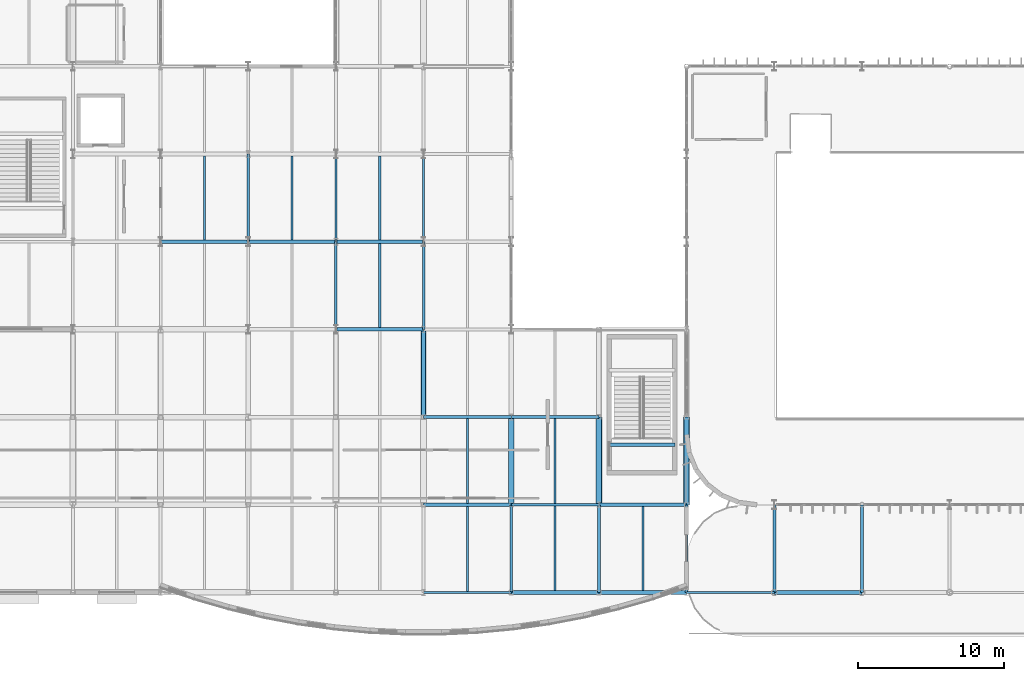
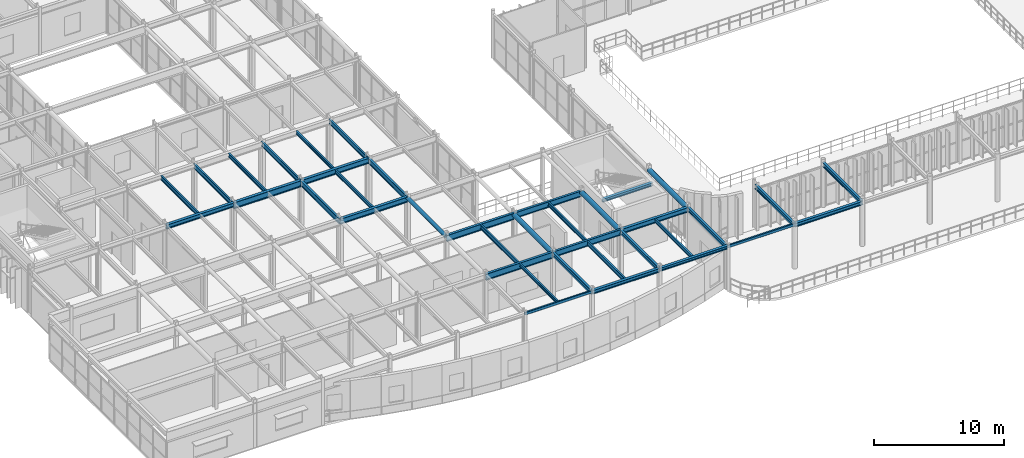
# One storey, part 25 of 96: 38 beams.
"""IFC4 building model written with IfcOpenShell, lengths in metres."""

from ifc_helpers import new_model, si_unit, direction, frame, origin, origin_2d, place, context, subcontext, project, spatial, hollow_rectangle, hollow_circle, i_section, extrude, material, material_profile, profile_set, type_object, element, save


model = new_model("IFC4")

# Units and contexts
model_context = context("Model", 3, precision=1e-05, world=origin(), true_north=direction((0.0, 1.0)))
body_context = subcontext(model_context, "Body", "Model", "MODEL_VIEW")
ifc_project = project(units=[si_unit("LENGTHUNIT", "METRE"), si_unit("AREAUNIT", "SQUARE_METRE"), si_unit("VOLUMEUNIT", "CUBIC_METRE"), si_unit("PLANEANGLEUNIT", "RADIAN"), si_unit("MASSUNIT", "GRAM", prefix="KILO")], contexts=[model_context])

# Site, building, storey
site_placement = place(None, origin())
site = spatial("IfcSite", under=ifc_project, at=site_placement, CompositionType="ELEMENT")
building_placement = place(site_placement, origin())
building = spatial("IfcBuilding", under=site, at=building_placement, Name="Varnakota Square Police Headquarters", CompositionType="ELEMENT")
storey_placement = place(building_placement, frame((0.0, 0.0, 4.800048828125)))
storey = spatial("IfcBuildingStorey", under=building, at=storey_placement, Name="L01", CompositionType="ELEMENT", Elevation=4.800048828125)

# Beams
ifc_material = material(Name="Steel IS 2062 Grade 350", Category="steel")
ifc_material_profile_1 = material_profile(ifc_material, hollow_circle(Radius=0.161865234375, WallThickness=0.0126953125, at=origin_2d()), Name="CHS 323.9x12.7")
ifc_profile_set_1 = profile_set([ifc_material_profile_1], Name="Steel IS 2062 Grade 350")
beam_type_1 = type_object("IfcBeamType", Name="BM-ARC-CHS324", PredefinedType="BEAM", material=ifc_profile_set_1)
beam_1_placement = place(storey_placement, frame((36.0, 15.0, 4.0380859375), z_axis=(0.0, 1.0, 0.0), x_axis=(-1.0, 0.0, 0.0)))
element("IfcBeam", 1, at=beam_1_placement, inside=storey, type_object=beam_type_1, Name="BMG-L01-1603", PredefinedType="BEAM", context=body_context, shape_type="SweptSolid", body=[
    extrude(hollow_circle(Radius=0.161865234375, WallThickness=0.0126953125, at=origin_2d()), origin(), (0.0, 0.0, 1.0), 6.0),
])
ifc_material_profile_2 = material_profile(ifc_material, hollow_circle(Radius=0.203125, WallThickness=0.01611328125, at=origin_2d()), Name="CHS 406.4x16.0")
ifc_profile_set_2 = profile_set([ifc_material_profile_2], Name="Steel IS 2062 Grade 350")
beam_type_2 = type_object("IfcBeamType", Name="BM-ARC-CHS406", PredefinedType="BEAM", material=ifc_profile_set_2)
for number, where, z_axis, x_axis, name in (
    (2, (42.0, 9.0, 3.996826171875), (0.0, 1.0, 0.0), (-1.0, 0.0, 0.0), "BMG-L01-1614"),
    (3, (48.0, 9.0, 3.996826171875), (0.0, 1.0, 0.0), (-1.0, 0.0, 0.0), "BMG-L01-1628"),
    (4, (54.0, 9.0, 3.996826171875), (0.0, 1.0, 0.0), (-1.0, 0.0, 0.0), "BMG-L01-1634"),
):
    element("IfcBeam", number, at=place(storey_placement, frame(where, z_axis=z_axis, x_axis=x_axis)), inside=storey, type_object=beam_type_2, Name=name, PredefinedType="BEAM", context=body_context, shape_type="SweptSolid", body=[
        extrude(hollow_circle(Radius=0.203125, WallThickness=0.01611328125, at=origin_2d()), origin(), (0.0, 0.0, 1.0), 6.0),
    ])
ifc_material_profile_3 = material_profile(ifc_material, hollow_rectangle(XDim=0.14990234375, YDim=0.25, WallThickness=0.010009765625, InnerFilletRadius=0.010009765625, OuterFilletRadius=0.02001953125, at=origin_2d()), Name="RHS 250x150x10")
ifc_profile_set_3 = profile_set([ifc_material_profile_3], Name="Steel IS 2062 Grade 350")
beam_type_3 = type_object("IfcBeamType", Name="BM-CBEAM-RHS250", PredefinedType="BEAM", material=ifc_profile_set_3)
for number, where, z_axis, x_axis, name in (
    (5, (36.0, 3.0, 4.074951171875), (1.0, 0.0, 0.0), (0.0, 1.0, 0.0), "BMG-L01-1316"),
    (6, (54.0, 3.0, 4.074951171875), (1.0, 0.0, 0.0), (0.0, 1.0, 0.0), "BMG-L01-1319"),
):
    element("IfcBeam", number, at=place(storey_placement, frame(where, z_axis=z_axis, x_axis=x_axis)), inside=storey, type_object=beam_type_3, Name=name, PredefinedType="BEAM", context=body_context, shape_type="SweptSolid", body=[
        extrude(hollow_rectangle(XDim=0.14990234375, YDim=0.25, WallThickness=0.010009765625, InnerFilletRadius=0.010009765625, OuterFilletRadius=0.02001953125, at=origin_2d()), origin(), (0.0, 0.0, 1.0), 6.0),
    ])
ifc_material_profile_4 = material_profile(ifc_material, i_section(OverallWidth=0.25, OverallDepth=0.300048828125, WebThickness=0.009521484375, FlangeThickness=0.010498046875, FilletRadius=0.011962890625, at=origin_2d()), Name="ISHB 300")
ifc_profile_set_4 = profile_set([ifc_material_profile_4], Name="Steel IS 2062 Grade 350")
beam_type_4 = type_object("IfcBeamType", Name="BM-ISHB300", PredefinedType="BEAM", material=ifc_profile_set_4)
beam_2_placement = place(storey_placement, frame((48.0, 3.0, 4.050048828125), z_axis=(1.0, 0.0, 0.0), x_axis=(0.0, 1.0, 0.0)))
element("IfcBeam", 7, at=beam_2_placement, inside=storey, type_object=beam_type_4, Name="BMG-L01-1318", PredefinedType="BEAM", context=body_context, shape_type="SweptSolid", body=[
    extrude(i_section(OverallWidth=0.25, OverallDepth=0.300048828125, WebThickness=0.009521484375, FlangeThickness=0.010498046875, FilletRadius=0.011962890625, at=origin_2d()), origin(), (0.0, 0.0, 1.0), 6.0),
])
beam_3_placement = place(storey_placement, frame((48.699951171875, 13.10009765625, 4.14990234375), z_axis=(1.0, 0.0, 0.0), x_axis=(0.0, 1.0, 0.0)))
element("IfcBeam", 8, at=beam_3_placement, inside=storey, type_object=beam_type_4, Name="Stair landing support beam BM-LND-0106", PredefinedType="BEAM", context=body_context, shape_type="SweptSolid", body=[
    extrude(i_section(OverallWidth=0.25, OverallDepth=0.300048828125, WebThickness=0.009521484375, FlangeThickness=0.010498046875, FilletRadius=0.011962890625, at=origin_2d()), origin(), (0.0, 0.0, 1.0), 4.5),
])
ifc_material_profile_5 = material_profile(ifc_material, i_section(OverallWidth=0.25, OverallDepth=0.35009765625, WebThickness=0.010009765625, FlangeThickness=0.01171875, FilletRadius=0.011962890625, at=origin_2d()), Name="ISHB 350")
ifc_profile_set_5 = profile_set([ifc_material_profile_5], Name="Steel IS 2062 Grade 350")
beam_type_5 = type_object("IfcBeamType", Name="BM-ISHB350", PredefinedType="BEAM", material=ifc_profile_set_5)
for number, where, z_axis, x_axis, name in (
    (9, (42.0, 3.0, 4.02490234375), (1.0, 0.0, 0.0), (0.0, 1.0, 0.0), "BMG-L01-1317"),
    (10, (60.0, 3.0, 4.02490234375), (1.0, 0.0, 0.0), (0.0, 1.0, 0.0), "BMG-L01-1320"),
):
    element("IfcBeam", number, at=place(storey_placement, frame(where, z_axis=z_axis, x_axis=x_axis)), inside=storey, type_object=beam_type_5, Name=name, PredefinedType="BEAM", context=body_context, shape_type="SweptSolid", body=[
        extrude(i_section(OverallWidth=0.25, OverallDepth=0.35009765625, WebThickness=0.010009765625, FlangeThickness=0.01171875, FilletRadius=0.011962890625, at=origin_2d()), origin(), (0.0, 0.0, 1.0), 6.0),
    ])
ifc_material_profile_6 = material_profile(ifc_material, i_section(OverallWidth=0.25, OverallDepth=0.39990234375, WebThickness=0.010498046875, FlangeThickness=0.0126953125, FilletRadius=0.013916015625, at=origin_2d()), Name="ISHB 400")
ifc_profile_set_6 = profile_set([ifc_material_profile_6], Name="Steel IS 2062 Grade 350")
beam_type_6 = type_object("IfcBeamType", Name="BM-ISHB400", PredefinedType="BEAM", material=ifc_profile_set_6)
beam_4_placement = place(storey_placement, frame((18.0, 27.0, 4.0), z_axis=(1.0, 0.0, 0.0), x_axis=(0.0, 1.0, 0.0)))
element("IfcBeam", 11, at=beam_4_placement, inside=storey, type_object=beam_type_6, Name="BMG-L01-1367", PredefinedType="BEAM", context=body_context, shape_type="SweptSolid", body=[
    extrude(i_section(OverallWidth=0.25, OverallDepth=0.39990234375, WebThickness=0.010498046875, FlangeThickness=0.0126953125, FilletRadius=0.013916015625, at=origin_2d()), origin(), (0.0, 0.0, 1.0), 6.0),
])
ifc_material_profile_7 = material_profile(ifc_material, i_section(OverallWidth=0.25, OverallDepth=0.449951171875, WebThickness=0.01123046875, FlangeThickness=0.013671875, FilletRadius=0.014892578125, at=origin_2d()), Name="ISHB 450")
ifc_profile_set_7 = profile_set([ifc_material_profile_7], Name="Steel IS 2062 Grade 350")
beam_type_7 = type_object("IfcBeamType", Name="BM-ISHB450", PredefinedType="BEAM", material=ifc_profile_set_7)
beam_5_placement = place(storey_placement, frame((48.0, 9.0, 3.974853515625), z_axis=(1.0, 0.0, 0.0), x_axis=(0.0, 1.0, 0.0)))
element("IfcBeam", 12, at=beam_5_placement, inside=storey, type_object=beam_type_7, Name="BMG-L01-1331", PredefinedType="BEAM", context=body_context, shape_type="SweptSolid", body=[
    extrude(i_section(OverallWidth=0.25, OverallDepth=0.449951171875, WebThickness=0.01123046875, FlangeThickness=0.013671875, FilletRadius=0.014892578125, at=origin_2d()), origin(), (0.0, 0.0, 1.0), 6.0),
])
ifc_material_profile_8 = material_profile(ifc_material, i_section(OverallWidth=0.139892578125, OverallDepth=0.300048828125, WebThickness=0.0078125, FlangeThickness=0.01318359375, FilletRadius=0.013916015625, at=origin_2d()), Name="ISMB 300")
ifc_profile_set_8 = profile_set([ifc_material_profile_8], Name="Steel IS 2062 Grade 350")
beam_type_8 = type_object("IfcBeamType", Name="BM-ISMB300", PredefinedType="JOIST", material=ifc_profile_set_8)
beam_6_placement = place(storey_placement, frame((33.0, 27.123046875, 4.050048828125), z_axis=(0.0, 1.0, 0.0), x_axis=(-1.0, 0.0, 0.0)))
element("IfcBeam", 13, at=beam_6_placement, inside=storey, type_object=beam_type_8, Name="BMG-L01-1816", PredefinedType="JOIST", context=body_context, shape_type="SweptSolid", body=[
    extrude(i_section(OverallWidth=0.139892578125, OverallDepth=0.300048828125, WebThickness=0.0078125, FlangeThickness=0.01318359375, FilletRadius=0.013916015625, at=origin_2d()), origin(), (0.0, 0.0, 1.0), 5.75390625),
])
beam_7_placement = place(storey_placement, frame((39.0, 3.072998046875, 4.050048828125), z_axis=(0.0, 1.0, 0.0), x_axis=(-1.0, 0.0, 0.0)))
element("IfcBeam", 14, at=beam_7_placement, inside=storey, type_object=beam_type_8, Name="BMG-L01-1823", PredefinedType="JOIST", context=body_context, shape_type="SweptSolid", body=[
    extrude(i_section(OverallWidth=0.139892578125, OverallDepth=0.300048828125, WebThickness=0.0078125, FlangeThickness=0.01318359375, FilletRadius=0.013916015625, at=origin_2d()), origin(), (0.0, 0.0, 1.0), 5.823974609375),
])
ifc_material_profile_9 = material_profile(ifc_material, i_section(OverallWidth=0.139892578125, OverallDepth=0.35009765625, WebThickness=0.008056640625, FlangeThickness=0.01416015625, FilletRadius=0.013916015625, at=origin_2d()), Name="ISMB 350")
ifc_profile_set_9 = profile_set([ifc_material_profile_9], Name="Steel IS 2062 Grade 350")
beam_type_9 = type_object("IfcBeamType", Name="BM-ISMB350", PredefinedType="JOIST", material=ifc_profile_set_9)
for number, where, z_axis, x_axis, name in (
    (15, (27.0, 27.123046875, 4.02490234375), (0.0, 1.0, 0.0), (-1.0, 0.0, 0.0), "BMG-L01-1808"),
    (16, (33.0, 21.123046875, 4.02490234375), (0.0, 1.0, 0.0), (-1.0, 0.0, 0.0), "BMG-L01-1815"),
):
    element("IfcBeam", number, at=place(storey_placement, frame(where, z_axis=z_axis, x_axis=x_axis)), inside=storey, type_object=beam_type_9, Name=name, PredefinedType="JOIST", context=body_context, shape_type="SweptSolid", body=[
        extrude(i_section(OverallWidth=0.139892578125, OverallDepth=0.35009765625, WebThickness=0.008056640625, FlangeThickness=0.01416015625, FilletRadius=0.013916015625, at=origin_2d()), origin(), (0.0, 0.0, 1.0), 5.75390625),
    ])
beam_8_placement = place(storey_placement, frame((45.0, 9.093017578125, 4.02490234375), z_axis=(0.0, 1.0, 0.0), x_axis=(-1.0, 0.0, 0.0)))
element("IfcBeam", 17, at=beam_8_placement, inside=storey, type_object=beam_type_9, Name="BMG-L01-1836", PredefinedType="JOIST", context=body_context, shape_type="SweptSolid", body=[
    extrude(i_section(OverallWidth=0.139892578125, OverallDepth=0.35009765625, WebThickness=0.008056640625, FlangeThickness=0.01416015625, FilletRadius=0.013916015625, at=origin_2d()), origin(), (0.0, 0.0, 1.0), 5.81396484375),
])
beam_9_placement = place(storey_placement, frame((51.0, 3.123046875, 4.02490234375), z_axis=(0.0, 1.0, 0.0), x_axis=(-1.0, 0.0, 0.0)))
element("IfcBeam", 18, at=beam_9_placement, inside=storey, type_object=beam_type_9, Name="BMG-L01-1839", PredefinedType="JOIST", context=body_context, shape_type="SweptSolid", body=[
    extrude(i_section(OverallWidth=0.139892578125, OverallDepth=0.35009765625, WebThickness=0.008056640625, FlangeThickness=0.01416015625, FilletRadius=0.013916015625, at=origin_2d()), origin(), (0.0, 0.0, 1.0), 5.75390625),
])
ifc_material_profile_10 = material_profile(ifc_material, i_section(OverallWidth=0.139892578125, OverallDepth=0.39990234375, WebThickness=0.0087890625, FlangeThickness=0.01611328125, FilletRadius=0.013916015625, at=origin_2d()), Name="ISMB 400")
ifc_profile_set_10 = profile_set([ifc_material_profile_10], Name="Steel IS 2062 Grade 350")
beam_type_10 = type_object("IfcBeamType", Name="BM-ISMB400", PredefinedType="JOIST", material=ifc_profile_set_10)
beam_10_placement = place(storey_placement, frame((21.0, 27.123046875, 4.0), z_axis=(0.0, 1.0, 0.0), x_axis=(-1.0, 0.0, 0.0)))
element("IfcBeam", 19, at=beam_10_placement, inside=storey, type_object=beam_type_10, Name="BMG-L01-1801", PredefinedType="JOIST", context=body_context, shape_type="SweptSolid", body=[
    extrude(i_section(OverallWidth=0.139892578125, OverallDepth=0.39990234375, WebThickness=0.0087890625, FlangeThickness=0.01611328125, FilletRadius=0.013916015625, at=origin_2d()), origin(), (0.0, 0.0, 1.0), 5.75390625),
])
beam_11_placement = place(storey_placement, frame((39.0, 9.10302734375, 4.0), z_axis=(0.0, 1.0, 0.0), x_axis=(-1.0, 0.0, 0.0)))
element("IfcBeam", 20, at=beam_11_placement, inside=storey, type_object=beam_type_10, Name="BMG-L01-1824", PredefinedType="JOIST", context=body_context, shape_type="SweptSolid", body=[
    extrude(i_section(OverallWidth=0.139892578125, OverallDepth=0.39990234375, WebThickness=0.0087890625, FlangeThickness=0.01611328125, FilletRadius=0.013916015625, at=origin_2d()), origin(), (0.0, 0.0, 1.0), 5.7939453125),
])
beam_12_placement = place(storey_placement, frame((45.0, 3.123046875, 4.0), z_axis=(0.0, 1.0, 0.0), x_axis=(-1.0, 0.0, 0.0)))
element("IfcBeam", 21, at=beam_12_placement, inside=storey, type_object=beam_type_10, Name="BMG-L01-1835", PredefinedType="JOIST", context=body_context, shape_type="SweptSolid", body=[
    extrude(i_section(OverallWidth=0.139892578125, OverallDepth=0.39990234375, WebThickness=0.0087890625, FlangeThickness=0.01611328125, FilletRadius=0.013916015625, at=origin_2d()), origin(), (0.0, 0.0, 1.0), 5.783935546875),
])
ifc_material_profile_11 = material_profile(ifc_material, i_section(OverallWidth=0.14990234375, OverallDepth=0.449951171875, WebThickness=0.009521484375, FlangeThickness=0.017333984375, FilletRadius=0.014892578125, at=origin_2d()), Name="ISMB 450")
ifc_profile_set_11 = profile_set([ifc_material_profile_11], Name="Steel IS 2062 Grade 350")
beam_type_11 = type_object("IfcBeamType", Name="BM-ISMB450", PredefinedType="BEAM", material=ifc_profile_set_11)
for number, where, z_axis, x_axis, name in (
    (22, (24.0, 27.0, 3.974853515625), (0.0, 1.0, 0.0), (-1.0, 0.0, 0.0), "BMG-L01-1583"),
    (23, (30.0, 27.0, 3.974853515625), (0.0, 1.0, 0.0), (-1.0, 0.0, 0.0), "BMG-L01-1591"),
    (24, (36.0, 27.0, 3.974853515625), (0.0, 1.0, 0.0), (-1.0, 0.0, 0.0), "BMG-L01-1605"),
):
    element("IfcBeam", number, at=place(storey_placement, frame(where, z_axis=z_axis, x_axis=x_axis)), inside=storey, type_object=beam_type_11, Name=name, PredefinedType="BEAM", context=body_context, shape_type="SweptSolid", body=[
        extrude(i_section(OverallWidth=0.14990234375, OverallDepth=0.449951171875, WebThickness=0.009521484375, FlangeThickness=0.017333984375, FilletRadius=0.014892578125, at=origin_2d()), origin(), (0.0, 0.0, 1.0), 6.0),
    ])
ifc_material_profile_12 = material_profile(ifc_material, i_section(OverallWidth=0.179931640625, OverallDepth=0.5, WebThickness=0.01025390625, FlangeThickness=0.01708984375, FilletRadius=0.01708984375, at=origin_2d()), Name="ISMB 500")
ifc_profile_set_12 = profile_set([ifc_material_profile_12], Name="Steel IS 2062 Grade 350")
beam_type_12 = type_object("IfcBeamType", Name="BM-ISMB500", PredefinedType="BEAM", material=ifc_profile_set_12)
for number, where, z_axis, x_axis, name in (
    (25, (30.0, 21.0, 3.949951171875), (0.0, 1.0, 0.0), (-1.0, 0.0, 0.0), "BMG-L01-1590"),
    (26, (36.0, 21.0, 3.949951171875), (0.0, 1.0, 0.0), (-1.0, 0.0, 0.0), "BMG-L01-1604"),
):
    element("IfcBeam", number, at=place(storey_placement, frame(where, z_axis=z_axis, x_axis=x_axis)), inside=storey, type_object=beam_type_12, Name=name, PredefinedType="BEAM", context=body_context, shape_type="SweptSolid", body=[
        extrude(i_section(OverallWidth=0.179931640625, OverallDepth=0.5, WebThickness=0.01025390625, FlangeThickness=0.01708984375, FilletRadius=0.01708984375, at=origin_2d()), origin(), (0.0, 0.0, 1.0), 6.0),
    ])
ifc_material_profile_13 = material_profile(ifc_material, i_section(OverallWidth=0.18994140625, OverallDepth=0.550048828125, WebThickness=0.01123046875, FlangeThickness=0.019287109375, FilletRadius=0.01806640625, at=origin_2d()), Name="ISMB 550")
ifc_profile_set_13 = profile_set([ifc_material_profile_13], Name="Steel IS 2062 Grade 350")
beam_type_13 = type_object("IfcBeamType", Name="BM-ISMB550", PredefinedType="BEAM", material=ifc_profile_set_13)
for number, where, z_axis, x_axis, name in (
    (27, (42.0, 9.0, 3.925048828125), (1.0, 0.0, 0.0), (0.0, 1.0, 0.0), "BMG-L01-1330"),
    (28, (42.0, 15.0, 3.925048828125), (1.0, 0.0, 0.0), (0.0, 1.0, 0.0), "BMG-L01-1343"),
):
    element("IfcBeam", number, at=place(storey_placement, frame(where, z_axis=z_axis, x_axis=x_axis)), inside=storey, type_object=beam_type_13, Name=name, PredefinedType="BEAM", context=body_context, shape_type="SweptSolid", body=[
        extrude(i_section(OverallWidth=0.18994140625, OverallDepth=0.550048828125, WebThickness=0.01123046875, FlangeThickness=0.019287109375, FilletRadius=0.01806640625, at=origin_2d()), origin(), (0.0, 0.0, 1.0), 6.0),
    ])
ifc_material_profile_14 = material_profile(ifc_material, i_section(OverallWidth=0.2099609375, OverallDepth=0.60009765625, WebThickness=0.011962890625, FlangeThickness=0.020751953125, FilletRadius=0.02001953125, at=origin_2d()), Name="ISMB 600")
ifc_profile_set_14 = profile_set([ifc_material_profile_14], Name="Steel IS 2062 Grade 350")
beam_type_14 = type_object("IfcBeamType", Name="BM-ISMB600", PredefinedType="BEAM", material=ifc_profile_set_14)
for number, where, z_axis, x_axis, name in (
    (29, (36.0, 9.0, 3.89990234375), (1.0, 0.0, 0.0), (0.0, 1.0, 0.0), "BMG-L01-1329"),
    (30, (36.0, 15.0, 3.89990234375), (1.0, 0.0, 0.0), (0.0, 1.0, 0.0), "BMG-L01-1342"),
):
    element("IfcBeam", number, at=place(storey_placement, frame(where, z_axis=z_axis, x_axis=x_axis)), inside=storey, type_object=beam_type_14, Name=name, PredefinedType="BEAM", context=body_context, shape_type="SweptSolid", body=[
        extrude(i_section(OverallWidth=0.2099609375, OverallDepth=0.60009765625, WebThickness=0.011962890625, FlangeThickness=0.020751953125, FilletRadius=0.02001953125, at=origin_2d()), origin(), (0.0, 0.0, 1.0), 6.0),
    ])
ifc_material_profile_15 = material_profile(ifc_material, i_section(OverallWidth=0.199951171875, OverallDepth=0.39990234375, WebThickness=0.008544921875, FlangeThickness=0.012939453125, FilletRadius=0.012939453125, at=origin_2d()), Name="ISWB 400")
ifc_profile_set_15 = profile_set([ifc_material_profile_15], Name="Steel IS 2062 Grade 350")
beam_type_15 = type_object("IfcBeamType", Name="BM-ISWB400", PredefinedType="BEAM", material=ifc_profile_set_15)
for number, where, z_axis, x_axis, name in (
    (31, (42.0, 3.0, 4.0), (0.0, 1.0, 0.0), (-1.0, 0.0, 0.0), "BMG-L01-1613"),
    (32, (48.0, 3.0, 4.0), (0.0, 1.0, 0.0), (-1.0, 0.0, 0.0), "BMG-L01-1627"),
    (33, (54.0, 3.0, 4.0), (0.0, 1.0, 0.0), (-1.0, 0.0, 0.0), "BMG-L01-1633"),
    (34, (60.0, 3.0, 4.0), (0.0, 1.0, 0.0), (-1.0, 0.0, 0.0), "BMG-L01-1644"),
    (35, (66.0, 3.0, 4.0), (0.0, 1.0, 0.0), (-1.0, 0.0, 0.0), "BMG-L01-1648"),
):
    element("IfcBeam", number, at=place(storey_placement, frame(where, z_axis=z_axis, x_axis=x_axis)), inside=storey, type_object=beam_type_15, Name=name, PredefinedType="BEAM", context=body_context, shape_type="SweptSolid", body=[
        extrude(i_section(OverallWidth=0.199951171875, OverallDepth=0.39990234375, WebThickness=0.008544921875, FlangeThickness=0.012939453125, FilletRadius=0.012939453125, at=origin_2d()), origin(), (0.0, 0.0, 1.0), 6.0),
    ])
ifc_material_profile_16 = material_profile(ifc_material, i_section(OverallWidth=0.25, OverallDepth=0.5, WebThickness=0.010009765625, FlangeThickness=0.0146484375, FilletRadius=0.014892578125, at=origin_2d()), Name="ISWB 500")
ifc_profile_set_16 = profile_set([ifc_material_profile_16], Name="Steel IS 2062 Grade 350")
beam_type_16 = type_object("IfcBeamType", Name="BM-ISWB500", PredefinedType="BEAM", material=ifc_profile_set_16)
for number, where, z_axis, x_axis, name in (
    (36, (30.0, 21.0, 3.949951171875), (1.0, 0.0, 0.0), (0.0, 1.0, 0.0), "BMG-L01-1356"),
    (37, (30.0, 27.0, 3.949951171875), (1.0, 0.0, 0.0), (0.0, 1.0, 0.0), "BMG-L01-1369"),
):
    element("IfcBeam", number, at=place(storey_placement, frame(where, z_axis=z_axis, x_axis=x_axis)), inside=storey, type_object=beam_type_16, Name=name, PredefinedType="BEAM", context=body_context, shape_type="SweptSolid", body=[
        extrude(i_section(OverallWidth=0.25, OverallDepth=0.5, WebThickness=0.010009765625, FlangeThickness=0.0146484375, FilletRadius=0.014892578125, at=origin_2d()), origin(), (0.0, 0.0, 1.0), 6.0),
    ])
ifc_material_profile_17 = material_profile(ifc_material, i_section(OverallWidth=0.25, OverallDepth=0.60009765625, WebThickness=0.01171875, FlangeThickness=0.023681640625, FilletRadius=0.01708984375, at=origin_2d()), Name="ISWB 600")
ifc_profile_set_17 = profile_set([ifc_material_profile_17], Name="Steel IS 2062 Grade 350")
beam_type_17 = type_object("IfcBeamType", Name="BM-ISWB600", PredefinedType="BEAM", material=ifc_profile_set_17)
beam_13_placement = place(storey_placement, frame((24.0, 27.0, 3.89990234375), z_axis=(1.0, 0.0, 0.0), x_axis=(0.0, 1.0, 0.0)))
element("IfcBeam", 38, at=beam_13_placement, inside=storey, type_object=beam_type_17, Name="BMG-L01-1368", PredefinedType="BEAM", context=body_context, shape_type="SweptSolid", body=[
    extrude(i_section(OverallWidth=0.25, OverallDepth=0.60009765625, WebThickness=0.01171875, FlangeThickness=0.023681640625, FilletRadius=0.01708984375, at=origin_2d()), origin(), (0.0, 0.0, 1.0), 6.0),
])

save(model, "model.ifc")
